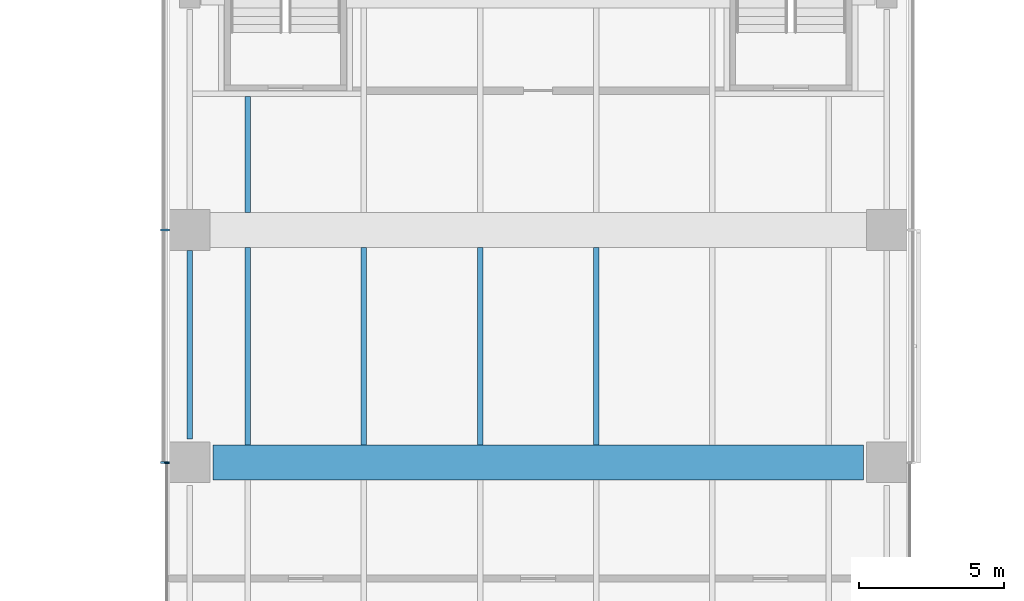
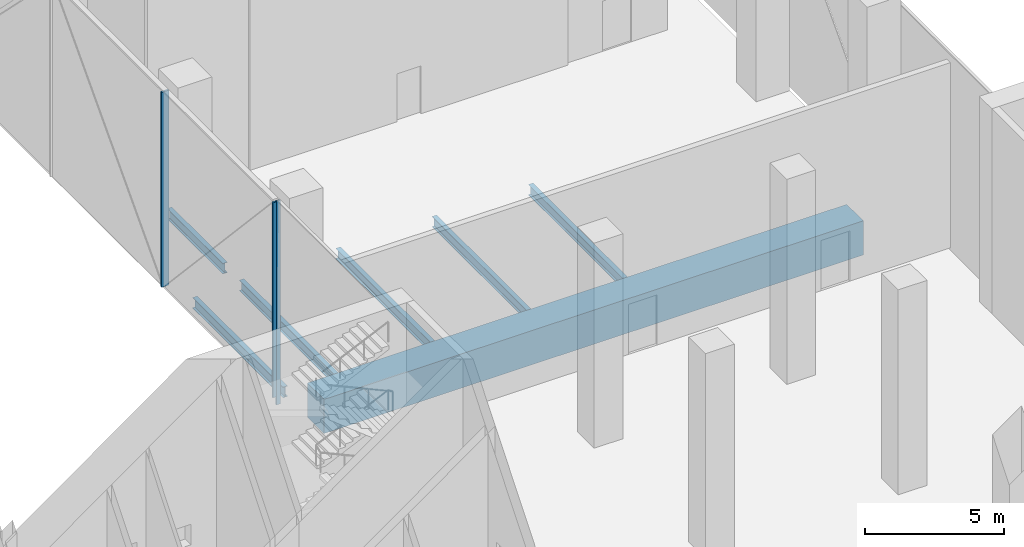
# One storey, part 8 of 26: 7 beams, 3 members, 2 elements without a shape of their own.
"""IFC4 building model written with IfcOpenShell, lengths in metres."""

import ifcopenshell
import ifcopenshell.guid

model = None  # the IFC model being written
_history = None  # IfcOwnerHistory: only IFC2X3 demands one
_inside = {}  # id of a spatial element -> (the spatial element, [elements in it])
_under = {}  # id of a project, library or spatial element -> (it, [spatial elements below it])
_declared = {}  # id of a project -> (the project, [libraries it declares])
_typed = {}  # id of a type object -> (the type object, [elements of that type])
_made_of = {}  # id of a material, layer set ... -> (it, [elements and type objects made of it])


def new_model(schema):
    """Start an empty IFC model of exactly this schema.

    Asked for "IFC4X3", IfcOpenShell would pick the latest addendum, in which some entities
    have other attributes; the version numbers below select the first issue.
    IFC2X3 requires an IfcOwnerHistory on every rooted entity: one is made here for all.
    """
    global model, _history
    if schema == "IFC4X3":
        model = ifcopenshell.file(schema_version=(4, 3, 0, 0))
    else:
        model = ifcopenshell.file(schema=schema)
    _inside.clear()
    _under.clear()
    _declared.clear()
    _typed.clear()
    _made_of.clear()
    _history = None
    if model.schema == "IFC2X3":
        org = make("IfcOrganization", Name="unknown")
        user = make(
            "IfcPersonAndOrganization",
            ThePerson=make("IfcPerson", FamilyName="unknown"),
            TheOrganization=org,
        )
        app = make(
            "IfcApplication",
            ApplicationDeveloper=org,
            Version="unknown",
            ApplicationFullName="unknown",
            ApplicationIdentifier="unknown",
        )
        _history = make(
            "IfcOwnerHistory",
            OwningUser=user,
            OwningApplication=app,
            ChangeAction="ADDED",
            CreationDate=0,
        )
    return model


def make(cls, **values):
    """One entity of the class cls with the attributes given. An attribute that is None is left unset."""
    return model.create_entity(
        cls, **{name: value for name, value in values.items() if value is not None}
    )


def rooted(cls, **values):
    """An entity with a GlobalId (a new one), such as an element, a storey or a relation."""
    return make(cls, GlobalId=ifcopenshell.guid.new(), OwnerHistory=_history, **values)


def si_unit(unit_type, name, prefix=None):
    """IfcSIUnit, for example si_unit("LENGTHUNIT", "METRE", prefix="MILLI")."""
    return make("IfcSIUnit", UnitType=unit_type, Prefix=prefix, Name=name)


def assignment(units):
    """IfcUnitAssignment: the units of a project."""
    return None if units is None else make("IfcUnitAssignment", Units=units)


def point(xyz):
    """IfcCartesianPoint."""
    return None if xyz is None else make("IfcCartesianPoint", Coordinates=xyz)


def direction(xyz):
    """IfcDirection."""
    return None if xyz is None else make("IfcDirection", DirectionRatios=xyz)


def frame(location, z_axis=None, x_axis=None):
    """IfcAxis2Placement3D, a coordinate frame: its origin and axes. An axis left out is left unset."""
    return make(
        "IfcAxis2Placement3D",
        Location=point(location),
        Axis=direction(z_axis),
        RefDirection=direction(x_axis),
    )


def frame_2d(location, x_axis=None):
    """IfcAxis2Placement2D, a coordinate frame in the plane: its origin and x axis."""
    return make(
        "IfcAxis2Placement2D", Location=point(location), RefDirection=direction(x_axis)
    )


def origin():
    """The frame at (0, 0, 0) with its axes left unset."""
    return frame((0.0, 0.0, 0.0))


def origin_2d():
    """The frame at (0, 0) in the plane with its x axis left unset."""
    return frame_2d((0.0, 0.0))


def place(relative_to, where):
    """IfcLocalPlacement: puts the frame where relative to a parent placement (None: the world)."""
    return make(
        "IfcLocalPlacement", PlacementRelTo=relative_to, RelativePlacement=where
    )


def context(
    kind, dimensions, precision=None, world=None, true_north=None, identifier=None
):
    """IfcGeometricRepresentationContext, for example the 3D "Model" context."""
    return make(
        "IfcGeometricRepresentationContext",
        ContextIdentifier=identifier,
        ContextType=kind,
        CoordinateSpaceDimension=dimensions,
        Precision=precision,
        WorldCoordinateSystem=world,
        TrueNorth=true_north,
    )


def subcontext(parent, identifier, kind, view, scale=None):
    """IfcGeometricRepresentationSubContext, for example "Body" below "Model"."""
    return make(
        "IfcGeometricRepresentationSubContext",
        ContextIdentifier=identifier,
        ContextType=kind,
        ParentContext=parent,
        TargetScale=scale,
        TargetView=view,
    )


def project(units=None, contexts=None):
    """IfcProject with its units and contexts."""
    return rooted(
        "IfcProject",
        Name="project",
        RepresentationContexts=contexts,
        UnitsInContext=assignment(units),
    )


def spatial(cls, under=None, at=None, **own):
    """A site, building, storey or space (cls), placed at a placement, below another one or the project."""
    s = rooted(cls, ObjectPlacement=at, **own)
    if under is not None:
        _under.setdefault(under.id(), (under, []))[1].append(s)
    return s


def profile(cls, at=None, kind="AREA", **sizes):
    """A parametric profile (cls). Its sizes go by their IFC names, for example OverallWidth=200.0."""
    return make(cls, ProfileType=kind, Position=at, **sizes)


def rectangle(**sizes):
    """IfcRectangleProfileDef."""
    return profile("IfcRectangleProfileDef", **sizes)


def i_section(**sizes):
    """IfcIShapeProfileDef."""
    return profile("IfcIShapeProfileDef", **sizes)


def extrude(swept, where, along, depth):
    """IfcExtrudedAreaSolid: the profile swept, set in the frame where, extruded along a direction by depth."""
    return make(
        "IfcExtrudedAreaSolid",
        SweptArea=swept,
        Position=where,
        ExtrudedDirection=direction(along),
        Depth=depth,
    )


def shape(context_of_items, identifier, shape_type, items):
    """IfcShapeRepresentation: the items that make up one representation, for example the "Body"."""
    return make(
        "IfcShapeRepresentation",
        ContextOfItems=context_of_items,
        RepresentationIdentifier=identifier,
        RepresentationType=shape_type,
        Items=items,
    )


def material(Name=None, Category=None):
    """IfcMaterial."""
    return make("IfcMaterial", Name=Name, Category=Category)


def material_profile(
    of_material, cross_section, Name=None, Category=None, Priority=None
):
    """IfcMaterialProfile: a cross section and its material."""
    return make(
        "IfcMaterialProfile",
        Name=Name,
        Material=of_material,
        Profile=cross_section,
        Priority=Priority,
        Category=Category,
    )


def profile_set(profiles, Name=None, composite=None):
    """IfcMaterialProfileSet."""
    return make(
        "IfcMaterialProfileSet",
        Name=Name,
        MaterialProfiles=profiles,
        CompositeProfile=composite,
    )


def made_of(thing, what):
    """Note that an element or type object is made of a material, layer set ...; save() writes the relation."""
    if what is not None:
        _made_of.setdefault(what.id(), (what, []))[1].append(thing)
    return thing


def type_object(cls, material=None, **own):
    """A type object (cls), such as IfcWallType, which elements share."""
    return made_of(rooted(cls, **own), material)


def element(
    cls,
    number,
    at=None,
    inside=None,
    cuts=None,
    type_object=None,
    material=None,
    context=None,
    identifier="Body",
    shape_type=None,
    held_by="IfcProductDefinitionShape",
    body=None,
    shapes=None,
    **own,
):
    """One element of the class cls, such as IfcWall. Its Tag is "e" and its number.

    at: its placement. inside: the storey or other place that contains it. cuts: it is an
    opening in that element (IfcRelVoidsElement). A single representation is given by context,
    identifier, shape_type and body (its items); several are given by shapes. held_by: the class
    of the entity that holds the representations. save() writes the other relations.
    """
    e = rooted(cls, Tag="e%d" % number, ObjectPlacement=at, **own)
    if body is not None:
        shapes = [shape(context, identifier, shape_type, body)]
    if shapes is not None:
        e.Representation = make(held_by, Representations=shapes)
    if inside is not None:
        _inside.setdefault(inside.id(), (inside, []))[1].append(e)
    if cuts is not None:
        rooted(
            "IfcRelVoidsElement", RelatingBuildingElement=cuts, RelatedOpeningElement=e
        )
    if type_object is not None:
        _typed.setdefault(type_object.id(), (type_object, []))[1].append(e)
    return made_of(e, material)


def aggregate(whole, parts):
    """IfcRelAggregates: a whole, such as a stair, and the parts it consists of."""
    return rooted("IfcRelAggregates", RelatingObject=whole, RelatedObjects=parts)


def save(model, path):
    """Write the relations noted so far, then the file.

    IfcRelAggregates (storeys below a building ...), IfcRelContainedInSpatialStructure (elements
    in a storey), IfcRelDefinesByType, IfcRelAssociatesMaterial and IfcRelDeclares: one each for
    every whole, place, type object, material and project.
    """
    for whole, parts in _under.values():
        aggregate(whole, parts)
    for where, things in _inside.values():
        rooted(
            "IfcRelContainedInSpatialStructure",
            RelatedElements=things,
            RelatingStructure=where,
        )
    for kind, things in _typed.values():
        rooted("IfcRelDefinesByType", RelatedObjects=things, RelatingType=kind)
    for what, things in _made_of.values():
        rooted("IfcRelAssociatesMaterial", RelatedObjects=things, RelatingMaterial=what)
    for by, libraries in _declared.values():
        rooted("IfcRelDeclares", RelatingContext=by, RelatedDefinitions=libraries)
    model.write(path)


model = new_model("IFC4")

# Units and contexts
model_context = context("Model", 3, precision=1e-05, world=origin(), true_north=direction((0.0, 1.0)))
body_context = subcontext(model_context, "Body", "Model", "MODEL_VIEW")
ifc_project = project(units=[si_unit("LENGTHUNIT", "METRE"), si_unit("AREAUNIT", "SQUARE_METRE"), si_unit("VOLUMEUNIT", "CUBIC_METRE"), si_unit("PLANEANGLEUNIT", "RADIAN"), si_unit("MASSUNIT", "GRAM", prefix="KILO")], contexts=[model_context])

# Site, building, storey
site_placement = place(None, origin())
site = spatial("IfcSite", under=ifc_project, at=site_placement, CompositionType="ELEMENT")
building_placement = place(site_placement, origin())
building = spatial("IfcBuilding", under=site, at=building_placement, Name="Crosswind Convention Tower", CompositionType="ELEMENT")
storey_placement = place(building_placement, frame((0.0, 0.0, 25.0)))
storey = spatial("IfcBuildingStorey", under=building, at=storey_placement, Name="L03", CompositionType="ELEMENT", Elevation=25.0)

# Beam
ifc_material_1 = material(Name="Steel S355", Category="steel")
ifc_material_profile_1 = material_profile(ifc_material_1, i_section(OverallWidth=0.19287109375, OverallDepth=0.467529296875, WebThickness=0.011474609375, FlangeThickness=0.01953125, FilletRadius=0.01025390625, at=origin_2d()), Name="UB 457x191x98")
ifc_profile_set_1 = profile_set([ifc_material_profile_1], Name="Steel S355")
beam_type_1 = type_object("IfcBeamType", Name="Edge beam UB 457x191x98", PredefinedType="SPANDREL", material=ifc_profile_set_1)
beam_1_placement = place(storey_placement, frame((113.0, 120.800048828125, -0.6337890625), z_axis=(0.0, 1.0, 0.0), x_axis=(-1.0, 0.0, 0.0)))
element("IfcBeam", 1, at=beam_1_placement, inside=storey, type_object=beam_type_1, Name="B20 L03 edge beam 10", PredefinedType="SPANDREL", context=body_context, shape_type="SweptSolid", body=[
    extrude(i_section(OverallWidth=0.19287109375, OverallDepth=0.467529296875, WebThickness=0.011474609375, FlangeThickness=0.01953125, FilletRadius=0.01025390625, at=origin_2d()), origin(), (0.0, 0.0, 1.0), 6.5),
])

# Curtain wall, member
ifc_material_2 = material(Name="Aluminium unitised curtain wall", Category="aluminium")
curtain_wall_type_1 = type_object("IfcCurtainWallType", Name="CORE END SLOT WALL 160", PredefinedType="USERDEFINED", material=ifc_material_2)
curtain_wall_1_placement = place(storey_placement, origin())
curtain_wall_1 = element("IfcCurtainWall", 2, at=curtain_wall_1_placement, inside=storey, type_object=curtain_wall_type_1, Name="CW6 L03 N-W.1-4 slot", ObjectType="UNITISED", PredefinedType="USERDEFINED")
ifc_material_3 = material(Name="Aluminium mullion", Category="aluminium")
ifc_material_profile_2 = material_profile(ifc_material_3, rectangle(XDim=0.159912109375, YDim=0.050048828125, at=origin_2d()), Name="AL 160X50")
ifc_profile_set_2 = profile_set([ifc_material_profile_2], Name="Aluminium mullion")
member_type_1 = type_object("IfcMemberType", Name="MULLION 50X160", PredefinedType="MULLION", material=ifc_profile_set_2)
member_1_placement = place(storey_placement, frame((112.219970703125, 119.97509765625, -0.39990234375), z_axis=(0.0, 0.0, 1.0), x_axis=(-1.0, 0.0, 0.0)))
member_1 = element("IfcMember", 3, at=member_1_placement, type_object=member_type_1, Name="CW6 mullion 1", PredefinedType="MULLION", context=body_context, shape_type="SweptSolid", body=[
    extrude(rectangle(XDim=0.159912109375, YDim=0.050048828125, at=origin_2d()), origin(), (0.0, 0.0, 1.0), 8.949951171875),
])
aggregate(curtain_wall_1, [member_1])

# Curtain wall, members
curtain_wall_type_2 = type_object("IfcCurtainWallType", Name="PODIUM UNITISED WALL 300", PredefinedType="USERDEFINED", material=ifc_material_2)
curtain_wall_2_placement = place(storey_placement, origin())
curtain_wall_2 = element("IfcCurtainWall", 4, at=curtain_wall_2_placement, inside=storey, type_object=curtain_wall_type_2, Name="CW1 L03 N-W 1", ObjectType="UNITISED", PredefinedType="USERDEFINED")
ifc_material_profile_3 = material_profile(ifc_material_3, rectangle(XDim=0.300048828125, YDim=0.080078125, at=origin_2d()), Name="AL 300X80")
ifc_profile_set_3 = profile_set([ifc_material_profile_3], Name="Aluminium mullion")
member_type_2 = type_object("IfcMemberType", Name="MULLION 80X300", PredefinedType="MULLION", material=ifc_profile_set_3)
member_2_placement = place(storey_placement, frame((112.14990234375, 128.0, -0.044921875), z_axis=(0.0, 0.0, 1.0), x_axis=(-1.0, 0.0, 0.0)))
member_2 = element("IfcMember", 5, at=member_2_placement, type_object=member_type_2, Name="CW1 mullion 3", PredefinedType="MULLION", context=body_context, shape_type="SweptSolid", body=[
    extrude(rectangle(XDim=0.300048828125, YDim=0.080078125, at=origin_2d()), origin(), (0.0, 0.0, 1.0), 8.56494140625),
])
member_3_placement = place(storey_placement, frame((112.14990234375, 120.0, -0.044921875), z_axis=(0.0, 0.0, 1.0), x_axis=(-1.0, 0.0, 0.0)))
member_3 = element("IfcMember", 6, at=member_3_placement, type_object=member_type_2, Name="CW1 mullion 4", PredefinedType="MULLION", context=body_context, shape_type="SweptSolid", body=[
    extrude(rectangle(XDim=0.300048828125, YDim=0.080078125, at=origin_2d()), origin(), (0.0, 0.0, 1.0), 8.56494140625),
])
aggregate(curtain_wall_2, [member_2, member_3])

# Beams
ifc_material_4 = material(Name="Concrete C70/85", Category="concrete")
ifc_material_profile_4 = material_profile(ifc_material_4, rectangle(XDim=1.199951171875, YDim=1.5, at=origin_2d()), Name="RC 1200X1500")
ifc_profile_set_4 = profile_set([ifc_material_profile_4], Name="Concrete C70/85")
beam_type_2 = type_object("IfcBeamType", Name="Prestressed concrete girder RC 1200X1500", PredefinedType="BEAM", material=ifc_profile_set_4)
beam_2_placement = place(storey_placement, frame((113.800048828125, 120.0, -1.14990234375), z_axis=(1.0, 0.0, 0.0), x_axis=(0.0, 1.0, 0.0)))
element("IfcBeam", 7, at=beam_2_placement, inside=storey, type_object=beam_type_2, Name="B39 L03 prestressed concrete girder 4", PredefinedType="BEAM", context=body_context, shape_type="SweptSolid", body=[
    extrude(rectangle(XDim=1.199951171875, YDim=1.5, at=origin_2d()), origin(), (0.0, 0.0, 1.0), 22.39990234375),
])
ifc_material_profile_5 = material_profile(ifc_material_1, i_section(OverallWidth=0.19140625, OverallDepth=0.460205078125, WebThickness=0.010009765625, FlangeThickness=0.01611328125, FilletRadius=0.01025390625, at=origin_2d()), Name="UB 457x191x82")
ifc_profile_set_5 = profile_set([ifc_material_profile_5], Name="Steel S355")
beam_type_3 = type_object("IfcBeamType", Name="Secondary beam UB 457x191x82", PredefinedType="JOIST", material=ifc_profile_set_5)
beam_3_placement = place(storey_placement, frame((115.0, 120.60009765625, -0.630126953125), z_axis=(0.0, 1.0, 0.0), x_axis=(-1.0, 0.0, 0.0)))
element("IfcBeam", 8, at=beam_3_placement, inside=storey, type_object=beam_type_3, Name="B13 L03 secondary beam 18", PredefinedType="JOIST", context=body_context, shape_type="SweptSolid", body=[
    extrude(i_section(OverallWidth=0.19140625, OverallDepth=0.460205078125, WebThickness=0.010009765625, FlangeThickness=0.01611328125, FilletRadius=0.01025390625, at=origin_2d()), origin(), (0.0, 0.0, 1.0), 6.7998046875),
])
beam_4_placement = place(storey_placement, frame((115.0, 128.60009765625, -0.630126953125), z_axis=(0.0, 1.0, 0.0), x_axis=(-1.0, 0.0, 0.0)))
element("IfcBeam", 9, at=beam_4_placement, inside=storey, type_object=beam_type_3, Name="B13 L03 secondary beam 19", PredefinedType="JOIST", context=body_context, shape_type="SweptSolid", body=[
    extrude(i_section(OverallWidth=0.19140625, OverallDepth=0.460205078125, WebThickness=0.010009765625, FlangeThickness=0.01611328125, FilletRadius=0.01025390625, at=origin_2d()), origin(), (0.0, 0.0, 1.0), 3.993896484375),
])
for number, where, z_axis, x_axis, name in (
    (10, (119.0, 120.60009765625, -0.630126953125), (0.0, 1.0, 0.0), (-1.0, 0.0, 0.0), "B13 L03 secondary beam 25"),
    (11, (123.0, 120.60009765625, -0.630126953125), (0.0, 1.0, 0.0), (-1.0, 0.0, 0.0), "B13 L03 secondary beam 36"),
    (12, (127.0, 120.60009765625, -0.630126953125), (0.0, 1.0, 0.0), (-1.0, 0.0, 0.0), "B13 L03 secondary beam 44"),
):
    element("IfcBeam", number, at=place(storey_placement, frame(where, z_axis=z_axis, x_axis=x_axis)), inside=storey, type_object=beam_type_3, Name=name, PredefinedType="JOIST", context=body_context, shape_type="SweptSolid", body=[
        extrude(i_section(OverallWidth=0.19140625, OverallDepth=0.460205078125, WebThickness=0.010009765625, FlangeThickness=0.01611328125, FilletRadius=0.01025390625, at=origin_2d()), origin(), (0.0, 0.0, 1.0), 6.7998046875),
    ])

save(model, "model.ifc")
